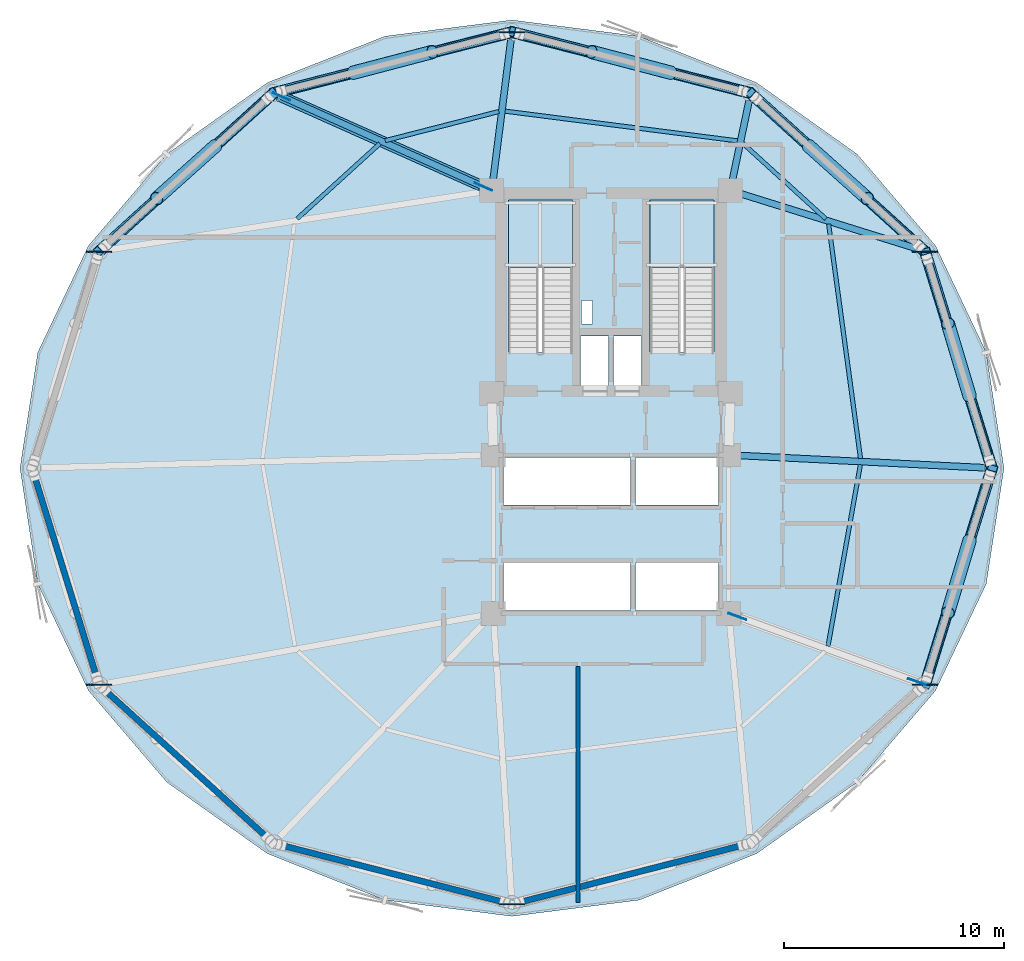
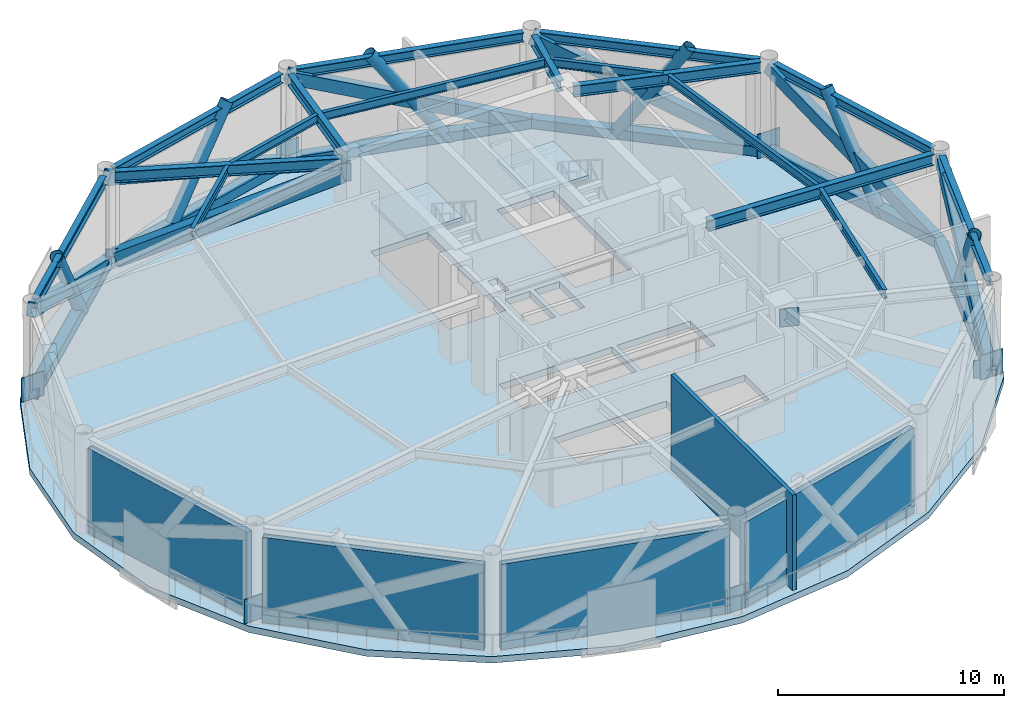
# One storey, part 2 of 8: 19 members, 17 beams, 10 plates, 5 walls, 3 slabs, 2 elements without a shape of their own.
"""IFC4 building model written with IfcOpenShell, lengths in metres."""

from ifc_helpers import new_model, si_unit, direction, frame, frame_2d, origin, origin_2d, place, context, subcontext, project, spatial, polyline, rectangle, hollow_rectangle, hollow_circle, i_section, outline, extrude, material, layer, layer_set, material_profile, profile_set, type_object, element, aggregate, save


model = new_model("IFC4")

# Units and contexts
model_context = context("Model", 3, precision=1e-05, world=origin(), true_north=direction((0.0, 1.0)))
body_context = subcontext(model_context, "Body", "Model", "MODEL_VIEW")
ifc_project = project(units=[si_unit("LENGTHUNIT", "METRE"), si_unit("AREAUNIT", "SQUARE_METRE"), si_unit("VOLUMEUNIT", "CUBIC_METRE"), si_unit("PLANEANGLEUNIT", "RADIAN"), si_unit("MASSUNIT", "GRAM", prefix="KILO")], contexts=[model_context])

# Site, building, storey
site_placement = place(None, origin())
site = spatial("IfcSite", under=ifc_project, at=site_placement, CompositionType="ELEMENT")
building_placement = place(site_placement, origin())
building = spatial("IfcBuilding", under=site, at=building_placement, Name="Varnakorn Sky Granary", CompositionType="ELEMENT")
storey_placement = place(building_placement, frame((0.0, 0.0, 78.300048828125)))
storey = spatial("IfcBuildingStorey", under=building, at=storey_placement, Name="L19", CompositionType="ELEMENT", Elevation=78.300048828125)

# Beams
ifc_material_1 = material(Name="Steel S355JR", Category="steel")
ifc_material_profile_1 = material_profile(ifc_material_1, i_section(OverallWidth=0.300048828125, OverallDepth=0.60009765625, WebThickness=0.015380859375, FlangeThickness=0.030029296875, at=origin_2d()), Name="HE 600 B")
ifc_profile_set_1 = profile_set([ifc_material_profile_1], Name="Steel S355JR")
beam_type_1 = type_object("IfcBeamType", Name="BM-RAD-Z2", PredefinedType="BEAM", material=ifc_profile_set_1)
beam_1_placement = place(storey_placement, frame((8.76953125, 0.5791015625, 4.83984375), z_axis=(0.998749672265, -0.049990920679, 0.0), x_axis=(0.049990920679, 0.998749672265, 0.0)))
element("IfcBeam", 1, at=beam_1_placement, inside=storey, type_object=beam_type_1, Name="Radial Floor Girder RG01 L19", PredefinedType="BEAM", context=body_context, shape_type="SweptSolid", body=[
    extrude(i_section(OverallWidth=0.300048828125, OverallDepth=0.60009765625, WebThickness=0.015380859375, FlangeThickness=0.030029296875, at=origin_2d()), origin(), (0.0, 0.0, 1.0), 11.193359375),
])
beam_2_placement = place(storey_placement, frame((8.821044921875, 12.4951171875, 4.83984375), z_axis=(0.954708506675, -0.297542715055, 0.0), x_axis=(0.297542715055, 0.954708506675, 0.0)))
element("IfcBeam", 2, at=beam_2_placement, inside=storey, type_object=beam_type_1, Name="Radial Floor Girder RG02 L19", PredefinedType="BEAM", context=body_context, shape_type="SweptSolid", body=[
    extrude(i_section(OverallWidth=0.300048828125, OverallDepth=0.60009765625, WebThickness=0.015380859375, FlangeThickness=0.030029296875, at=origin_2d()), origin(), (0.0, 0.0, 1.0), 8.486572265625),
])
beam_3_placement = place(storey_placement, frame((8.506103515625, 13.031005859375, 4.83984375), z_axis=(0.205278516618, 0.978703596915, 0.0), x_axis=(-0.978703596915, 0.205278516618, 0.0)))
element("IfcBeam", 3, at=beam_3_placement, inside=storey, type_object=beam_type_1, Name="Radial Floor Girder RG03 L19", PredefinedType="BEAM", context=body_context, shape_type="SweptSolid", body=[
    extrude(i_section(OverallWidth=0.300048828125, OverallDepth=0.60009765625, WebThickness=0.015380859375, FlangeThickness=0.030029296875, at=origin_2d()), origin(), (0.0, 0.0, 1.0), 3.732177734375),
])
beam_4_placement = place(storey_placement, frame((-2.366943359375, 13.03662109375, 4.83984375), z_axis=(0.126356918844, 0.991984843161, 0.0), x_axis=(-0.991984843161, 0.126356918844, 0.0)))
element("IfcBeam", 4, at=beam_4_placement, inside=storey, type_object=beam_type_1, Name="Radial Floor Girder RG04 L19", PredefinedType="BEAM", context=body_context, shape_type="SweptSolid", body=[
    extrude(i_section(OverallWidth=0.300048828125, OverallDepth=0.60009765625, WebThickness=0.015380859375, FlangeThickness=0.030029296875, at=origin_2d()), origin(), (0.0, 0.0, 1.0), 6.46875),
])
beam_5_placement = place(storey_placement, frame((-2.80322265625, 12.79150390625, 4.83984375), z_axis=(-0.912704547153, 0.408620128733, 0.0), x_axis=(-0.408620128733, -0.912704547153, 0.0)))
element("IfcBeam", 5, at=beam_5_placement, inside=storey, type_object=beam_type_1, Name="Radial Floor Girder RG05 L19", PredefinedType="BEAM", context=body_context, shape_type="SweptSolid", body=[
    extrude(i_section(OverallWidth=0.300048828125, OverallDepth=0.60009765625, WebThickness=0.015380859375, FlangeThickness=0.030029296875, at=origin_2d()), origin(), (0.0, 0.0, 1.0), 10.071044921875),
])
ifc_material_profile_2 = material_profile(ifc_material_1, i_section(OverallWidth=0.18994140625, OverallDepth=0.449951171875, WebThickness=0.009521484375, FlangeThickness=0.0146484375, at=origin_2d()), Name="IPE 450")
ifc_profile_set_2 = profile_set([ifc_material_profile_2], Name="Steel S355JR")
beam_type_2 = type_object("IfcBeamType", Name="BM-SEC-Z2", PredefinedType="BEAM", material=ifc_profile_set_2)
beam_6_placement = place(storey_placement, frame((14.34033203125, 0.43798828125, 4.9150390625), z_axis=(-0.13476266437, 0.990877905845, 0.0), x_axis=(-0.990877905845, -0.13476266437, 0.0)))
element("IfcBeam", 6, at=beam_6_placement, inside=storey, type_object=beam_type_2, Name="Secondary Floor Chord Beam MSB01 L19", PredefinedType="BEAM", context=body_context, shape_type="SweptSolid", body=[
    extrude(i_section(OverallWidth=0.18994140625, OverallDepth=0.449951171875, WebThickness=0.009521484375, FlangeThickness=0.0146484375, at=origin_2d()), origin(), (0.0, 0.0, 1.0), 10.75390625),
])
beam_7_placement = place(storey_placement, frame((12.7685546875, 11.32666015625, 4.9150390625), z_axis=(-0.739559138726, 0.673091583907, 0.0), x_axis=(-0.673091583907, -0.739559138726, 0.0)))
element("IfcBeam", 7, at=beam_7_placement, inside=storey, type_object=beam_type_2, Name="Secondary Floor Chord Beam MSB02 L19", PredefinedType="BEAM", context=body_context, shape_type="SweptSolid", body=[
    extrude(i_section(OverallWidth=0.18994140625, OverallDepth=0.449951171875, WebThickness=0.009521484375, FlangeThickness=0.0146484375, at=origin_2d()), origin(), (0.0, 0.0, 1.0), 5.10546875),
])
beam_8_placement = place(storey_placement, frame((8.750244140625, 14.875, 4.9150390625), z_axis=(-0.991914531804, 0.126907689272, 0.0), x_axis=(-0.126907689272, -0.991914531804, 0.0)))
element("IfcBeam", 8, at=beam_8_placement, inside=storey, type_object=beam_type_2, Name="Secondary Floor Chord Beam MSB03 L19", PredefinedType="BEAM", context=body_context, shape_type="SweptSolid", body=[
    extrude(i_section(OverallWidth=0.18994140625, OverallDepth=0.449951171875, WebThickness=0.009521484375, FlangeThickness=0.0146484375, at=origin_2d()), origin(), (0.0, 0.0, 1.0), 10.65576171875),
])
beam_9_placement = place(storey_placement, frame((-2.09375, 16.210205078125, 4.9150390625), z_axis=(-0.96863902886, -0.248472195163, 0.0), x_axis=(0.248472195163, -0.96863902886, 0.0)))
element("IfcBeam", 9, at=beam_9_placement, inside=storey, type_object=beam_type_2, Name="Secondary Floor Chord Beam MSB04 L19", PredefinedType="BEAM", context=body_context, shape_type="SweptSolid", body=[
    extrude(i_section(OverallWidth=0.18994140625, OverallDepth=0.449951171875, WebThickness=0.009521484375, FlangeThickness=0.0146484375, at=origin_2d()), origin(), (0.0, 0.0, 1.0), 5.33740234375),
])
beam_10_placement = place(storey_placement, frame((-7.502685546875, 14.7548828125, 4.9150390625), z_axis=(-0.73973825585, -0.672894726411, 0.0), x_axis=(0.672894726411, -0.73973825585, 0.0)))
element("IfcBeam", 10, at=beam_10_placement, inside=storey, type_object=beam_type_2, Name="Secondary Floor Chord Beam MSB05 L19", PredefinedType="BEAM", context=body_context, shape_type="SweptSolid", body=[
    extrude(i_section(OverallWidth=0.18994140625, OverallDepth=0.449951171875, WebThickness=0.009521484375, FlangeThickness=0.0146484375, at=origin_2d()), origin(), (0.0, 0.0, 1.0), 5.091552734375),
])
beam_11_placement = place(storey_placement, frame((12.861572265625, -8.09375, 4.9150390625), z_axis=(0.175671735491, 0.984448800776, 0.0), x_axis=(-0.984448800776, 0.175671735491, 0.0)))
element("IfcBeam", 11, at=beam_11_placement, inside=storey, type_object=beam_type_2, Name="Secondary Floor Chord Beam MSB12 L19", PredefinedType="BEAM", context=body_context, shape_type="SweptSolid", body=[
    extrude(i_section(OverallWidth=0.18994140625, OverallDepth=0.449951171875, WebThickness=0.009521484375, FlangeThickness=0.0146484375, at=origin_2d()), origin(), (0.0, 0.0, 1.0), 8.3857421875),
])
ifc_material_profile_3 = material_profile(ifc_material_1, i_section(OverallWidth=0.300048828125, OverallDepth=0.5, WebThickness=0.014404296875, FlangeThickness=0.028076171875, at=origin_2d()), Name="HE 500 B")
ifc_profile_set_3 = profile_set([ifc_material_profile_3], Name="Steel S355JR")
beam_type_3 = type_object("IfcBeamType", Name="BM-SPD-Z2", PredefinedType="SPANDREL", material=ifc_profile_set_3)
beam_12_placement = place(storey_placement, frame((20.224609375, 0.3740234375, 4.889892578125), z_axis=(-0.295075817934, 0.955473841437, 0.0), x_axis=(-0.955473841437, -0.295075817934, 0.0)))
element("IfcBeam", 12, at=beam_12_placement, inside=storey, type_object=beam_type_3, Name="Perimeter Spandrel Ring Beam RB01 L19", PredefinedType="SPANDREL", context=body_context, shape_type="SweptSolid", body=[
    extrude(i_section(OverallWidth=0.300048828125, OverallDepth=0.5, WebThickness=0.014404296875, FlangeThickness=0.028076171875, at=origin_2d()), origin(), (0.0, 0.0, 1.0), 9.52978515625),
])
beam_13_placement = place(storey_placement, frame((17.007080078125, 10.11669921875, 4.889892578125), z_axis=(-0.74035082887, 0.672220685632, 0.0), x_axis=(-0.672220685632, -0.74035082887, 0.0)))
element("IfcBeam", 13, at=beam_13_placement, inside=storey, type_object=beam_type_3, Name="Perimeter Spandrel Ring Beam RB02 L19", PredefinedType="SPANDREL", context=body_context, shape_type="SweptSolid", body=[
    extrude(i_section(OverallWidth=0.300048828125, OverallDepth=0.5, WebThickness=0.014404296875, FlangeThickness=0.028076171875, at=origin_2d()), origin(), (0.0, 0.0, 1.0), 9.94775390625),
])
for number, where, z_axis, x_axis, name in (
    (14, (8.97314453125, 17.163818359375, 4.889892578125), (-0.968821674194, 0.247759083815, 0.0), (-0.247759083815, -0.968821674194, 0.0), "Perimeter Spandrel Ring Beam RB03 L19"),
    (15, (-1.87939453125, 19.7451171875, 4.889892578125), (-0.968821674194, -0.247759083815, 0.0), (0.247759083815, -0.968821674194, 0.0), "Perimeter Spandrel Ring Beam RB04 L19"),
):
    element("IfcBeam", number, at=place(storey_placement, frame(where, z_axis=z_axis, x_axis=x_axis)), inside=storey, type_object=beam_type_3, Name=name, PredefinedType="SPANDREL", context=body_context, shape_type="SweptSolid", body=[
        extrude(i_section(OverallWidth=0.300048828125, OverallDepth=0.5, WebThickness=0.014404296875, FlangeThickness=0.028076171875, at=origin_2d()), origin(), (0.0, 0.0, 1.0), 10.418701171875),
    ])
beam_14_placement = place(storey_placement, frame((-12.642333984375, 16.8037109375, 4.889892578125), z_axis=(-0.74035082887, -0.672220685632, 0.0), x_axis=(0.672220685632, -0.74035082887, 0.0)))
element("IfcBeam", 16, at=beam_14_placement, inside=storey, type_object=beam_type_3, Name="Perimeter Spandrel Ring Beam RB05 L19", PredefinedType="SPANDREL", context=body_context, shape_type="SweptSolid", body=[
    extrude(i_section(OverallWidth=0.300048828125, OverallDepth=0.5, WebThickness=0.014404296875, FlangeThickness=0.028076171875, at=origin_2d()), origin(), (0.0, 0.0, 1.0), 9.94775390625),
])
beam_15_placement = place(storey_placement, frame((17.41259765625, -9.4794921875, 4.889892578125), z_axis=(0.295075817934, 0.955473841437, 0.0), x_axis=(-0.955473841437, 0.295075817934, 0.0)))
element("IfcBeam", 17, at=beam_15_placement, inside=storey, type_object=beam_type_3, Name="Perimeter Spandrel Ring Beam RB12 L19", PredefinedType="SPANDREL", context=body_context, shape_type="SweptSolid", body=[
    extrude(i_section(OverallWidth=0.300048828125, OverallDepth=0.5, WebThickness=0.014404296875, FlangeThickness=0.028076171875, at=origin_2d()), origin(), (0.0, 0.0, 1.0), 9.52978515625),
])

# Members
ifc_material_2 = material(Name="Steel S460M", Category="steel")
ifc_material_profile_4 = material_profile(ifc_material_2, hollow_rectangle(XDim=0.449951171875, YDim=0.64990234375, WallThickness=0.02490234375, at=origin_2d()), Name="RHS 450x650x25")
ifc_profile_set_4 = profile_set([ifc_material_profile_4], Name="Steel S460M")
member_type_1 = type_object("IfcMemberType", Name="MB-BELT-650", PredefinedType="BRACE", material=ifc_profile_set_4)
member_1_placement = place(storey_placement, frame((20.31103515625, 0.0, 0.14990234375), z_axis=(-0.266701179464, 0.871936784379, 0.41060531526), x_axis=(-0.956266923508, -0.292495420483, 0.0)))
element("IfcMember", 18, at=member_1_placement, inside=storey, type_object=member_type_1, Name="Perimeter Belt-Truss Diagonal BT01 L19", PredefinedType="BRACE", context=body_context, shape_type="SweptSolid", body=[
    extrude(hollow_rectangle(XDim=0.449951171875, YDim=0.64990234375, WallThickness=0.02490234375, at=origin_2d()), origin(), (0.0, 0.0, 1.0), 11.30078125),
])
member_2_placement = place(storey_placement, frame((17.27197265625, 9.842041015625, 0.14990234375), z_axis=(-0.677973057187, 0.618510903303, 0.397236448761), x_axis=(-0.673967439166, -0.738761051318, 0.0)))
element("IfcMember", 19, at=member_2_placement, inside=storey, type_object=member_type_1, Name="Perimeter Belt-Truss Diagonal BT02 L19", PredefinedType="BRACE", context=body_context, shape_type="SweptSolid", body=[
    extrude(hollow_rectangle(XDim=0.449951171875, YDim=0.64990234375, WallThickness=0.02490234375, at=origin_2d()), origin(), (0.0, 0.0, 1.0), 11.68115234375),
])
member_3_placement = place(storey_placement, frame((9.337890625, 17.046875, 0.14990234375), z_axis=(-0.894491607983, 0.23069549513, 0.382967820808), x_axis=(-0.249734860416, -0.968314256579, 0.0)))
element("IfcMember", 20, at=member_3_placement, inside=storey, type_object=member_type_1, Name="Perimeter Belt-Truss Diagonal BT03 L19", PredefinedType="BRACE", context=body_context, shape_type="SweptSolid", body=[
    extrude(hollow_rectangle(XDim=0.449951171875, YDim=0.64990234375, WallThickness=0.02490234375, at=origin_2d()), origin(), (0.0, 0.0, 1.0), 12.1162109375),
])
member_4_placement = place(storey_placement, frame((-1.5, 19.819091796875, 0.14990234375), z_axis=(-0.895458571561, -0.22708774582, 0.382864339312), x_axis=(0.245817948206, -0.969316014693, 0.0)))
element("IfcMember", 21, at=member_4_placement, inside=storey, type_object=member_type_1, Name="Perimeter Belt-Truss Diagonal BT04 L19", PredefinedType="BRACE", context=body_context, shape_type="SweptSolid", body=[
    extrude(hollow_rectangle(XDim=0.449951171875, YDim=0.64990234375, WallThickness=0.02490234375, at=origin_2d()), origin(), (0.0, 0.0, 1.0), 12.11962890625),
])
member_5_placement = place(storey_placement, frame((-12.337890625, 17.046875, 0.14990234375), z_axis=(-0.68093633964, -0.615413892554, 0.396977886298), x_axis=(0.670511005975, -0.741899582738, 0.0)))
element("IfcMember", 22, at=member_5_placement, inside=storey, type_object=member_type_1, Name="Perimeter Belt-Truss Diagonal BT05 L19", PredefinedType="BRACE", context=body_context, shape_type="SweptSolid", body=[
    extrude(hollow_rectangle(XDim=0.449951171875, YDim=0.64990234375, WallThickness=0.02490234375, at=origin_2d()), origin(), (0.0, 0.0, 1.0), 11.688720703125),
])
member_6_placement = place(storey_placement, frame((17.27197265625, -9.842041015625, 0.14990234375), z_axis=(0.271387161461, 0.870568205615, 0.410438799294), x_axis=(-0.954687489684, 0.297610142705, 0.0)))
element("IfcMember", 23, at=member_6_placement, inside=storey, type_object=member_type_1, Name="Perimeter Belt-Truss Diagonal BT12 L19", PredefinedType="BRACE", context=body_context, shape_type="SweptSolid", body=[
    extrude(hollow_rectangle(XDim=0.449951171875, YDim=0.64990234375, WallThickness=0.02490234375, at=origin_2d()), origin(), (0.0, 0.0, 1.0), 11.305419921875),
])
ifc_material_profile_5 = material_profile(ifc_material_2, hollow_rectangle(XDim=0.5, YDim=0.5, WallThickness=0.02490234375, at=origin_2d()), Name="SHS 500x500x25")
ifc_profile_set_5 = profile_set([ifc_material_profile_5], Name="Steel S460M")
member_type_2 = type_object("IfcMemberType", Name="MB-CHD-500", PredefinedType="CHORD", material=ifc_profile_set_5)
member_7_placement = place(storey_placement, frame((20.31103515625, 0.0, 0.25), z_axis=(-0.295038381743, 0.955485401928, 0.0), x_axis=(-0.955485401928, -0.295038381743, 0.0)))
element("IfcMember", 24, at=member_7_placement, inside=storey, type_object=member_type_2, Name="Belt-Truss Bottom Chord BCH01 L19", PredefinedType="CHORD", context=body_context, shape_type="SweptSolid", body=[
    extrude(hollow_rectangle(XDim=0.5, YDim=0.5, WallThickness=0.02490234375, at=origin_2d()), origin(), (0.0, 0.0, 1.0), 10.300537109375),
])
member_8_placement = place(storey_placement, frame((17.27197265625, 9.842041015625, 0.25), z_axis=(-0.74031001037, 0.672265638379, 0.0), x_axis=(-0.672265638379, -0.74031001037, 0.0)))
element("IfcMember", 25, at=member_8_placement, inside=storey, type_object=member_type_2, Name="Belt-Truss Bottom Chord BCH02 L19", PredefinedType="CHORD", context=body_context, shape_type="SweptSolid", body=[
    extrude(hollow_rectangle(XDim=0.5, YDim=0.5, WallThickness=0.02490234375, at=origin_2d()), origin(), (0.0, 0.0, 1.0), 10.71728515625),
])
for number, where, z_axis, x_axis, name in (
    (26, (9.337890625, 17.046875, 0.25), (-0.968808431619, 0.247810860989, 0.0), (-0.247810860989, -0.968808431619, 0.0), "Belt-Truss Bottom Chord BCH03 L19"),
    (27, (-1.5, 19.819091796875, 0.25), (-0.968808431619, -0.247810860989, 0.0), (0.247810860989, -0.968808431619, 0.0), "Belt-Truss Bottom Chord BCH04 L19"),
):
    element("IfcMember", number, at=place(storey_placement, frame(where, z_axis=z_axis, x_axis=x_axis)), inside=storey, type_object=member_type_2, Name=name, PredefinedType="CHORD", context=body_context, shape_type="SweptSolid", body=[
        extrude(hollow_rectangle(XDim=0.5, YDim=0.5, WallThickness=0.02490234375, at=origin_2d()), origin(), (0.0, 0.0, 1.0), 11.186767578125),
    ])
member_9_placement = place(storey_placement, frame((-12.337890625, 17.046875, 0.25), z_axis=(-0.74031001037, -0.672265638379, 0.0), x_axis=(0.672265638379, -0.74031001037, 0.0)))
element("IfcMember", 28, at=member_9_placement, inside=storey, type_object=member_type_2, Name="Belt-Truss Bottom Chord BCH05 L19", PredefinedType="CHORD", context=body_context, shape_type="SweptSolid", body=[
    extrude(hollow_rectangle(XDim=0.5, YDim=0.5, WallThickness=0.02490234375, at=origin_2d()), origin(), (0.0, 0.0, 1.0), 10.71728515625),
])
member_10_placement = place(storey_placement, frame((17.27197265625, -9.842041015625, 0.25), z_axis=(0.295038381743, 0.955485401928, 0.0), x_axis=(-0.955485401928, 0.295038381743, 0.0)))
element("IfcMember", 29, at=member_10_placement, inside=storey, type_object=member_type_2, Name="Belt-Truss Bottom Chord BCH12 L19", PredefinedType="CHORD", context=body_context, shape_type="SweptSolid", body=[
    extrude(hollow_rectangle(XDim=0.5, YDim=0.5, WallThickness=0.02490234375, at=origin_2d()), origin(), (0.0, 0.0, 1.0), 10.300537109375),
])
ifc_material_profile_6 = material_profile(ifc_material_2, hollow_circle(Radius=0.304931640625, WallThickness=0.022216796875, at=origin_2d()), Name="CHS 610x22")
ifc_profile_set_6 = profile_set([ifc_material_profile_6], Name="Steel S460M")
member_type_3 = type_object("IfcMemberType", Name="MB-DIAG-T1", PredefinedType="BRACE", material=ifc_profile_set_6)
member_11_placement = place(storey_placement, frame((19.298095703125, 3.28076171875, -0.130126953125), z_axis=(-0.153805428249, 0.512519869639, 0.844788300976), x_axis=(-0.957800837901, -0.287432696325, 0.0)))
element("IfcMember", 30, at=member_11_placement, inside=storey, type_object=member_type_3, Name="Perimeter CHS Diagrid Brace DG01 L19", PredefinedType="BRACE", context=body_context, shape_type="SweptSolid", body=[
    extrude(hollow_circle(Radius=0.304931640625, WallThickness=0.022216796875, at=origin_2d()), origin(), (0.0, 0.0, 1.0), 6.416015625),
])
member_12_placement = place(storey_placement, frame((11.982666015625, 14.645263671875, -0.130126953125), z_axis=(0.410499666753, -0.367574053766, 0.834493462283), x_axis=(0.667081945865, 0.744984347151, 0.0)))
element("IfcMember", 31, at=member_12_placement, inside=storey, type_object=member_type_3, Name="Perimeter CHS Diagrid Brace DG02 L19", PredefinedType="BRACE", context=body_context, shape_type="SweptSolid", body=[
    extrude(hollow_circle(Radius=0.304931640625, WallThickness=0.022216796875, at=origin_2d()), origin(), (0.0, 0.0, 1.0), 6.4951171875),
])
for number, where, z_axis, x_axis, name in (
    (32, (5.725341796875, 17.970947265625, -0.130126953125), (-0.548353773269, 0.14378609226, 0.823792266906), (-0.253639398077, -0.967298845106, 0.0), "Perimeter CHS Diagrid Brace DG03 L19"),
    (33, (-8.725341796875, 17.970947265625, -0.130126953125), (0.548353773269, 0.14378609226, 0.823792266906), (-0.253639398077, 0.967298845106, 0.0), "Perimeter CHS Diagrid Brace DG04 L19"),
):
    element("IfcMember", number, at=place(storey_placement, frame(where, z_axis=z_axis, x_axis=x_axis)), inside=storey, type_object=member_type_3, Name=name, PredefinedType="BRACE", context=body_context, shape_type="SweptSolid", body=[
        extrude(hollow_circle(Radius=0.304931640625, WallThickness=0.022216796875, at=origin_2d()), origin(), (0.0, 0.0, 1.0), 6.57958984375),
    ])
member_13_placement = place(storey_placement, frame((-14.982666015625, 14.645263671875, -0.130126953125), z_axis=(-0.410499666753, -0.367574053766, 0.834493462283), x_axis=(0.667081945865, -0.744984347151, 0.0)))
element("IfcMember", 34, at=member_13_placement, inside=storey, type_object=member_type_3, Name="Perimeter CHS Diagrid Brace DG05 L19", PredefinedType="BRACE", context=body_context, shape_type="SweptSolid", body=[
    extrude(hollow_circle(Radius=0.304931640625, WallThickness=0.022216796875, at=origin_2d()), origin(), (0.0, 0.0, 1.0), 6.4951171875),
])
member_14_placement = place(storey_placement, frame((19.298095703125, -3.28076171875, -0.130126953125), z_axis=(-0.153805428249, -0.512519869639, 0.844788300976), x_axis=(0.957800837901, -0.287432696325, 0.0)))
element("IfcMember", 35, at=member_14_placement, inside=storey, type_object=member_type_3, Name="Perimeter CHS Diagrid Brace DG12 L19", PredefinedType="BRACE", context=body_context, shape_type="SweptSolid", body=[
    extrude(hollow_circle(Radius=0.304931640625, WallThickness=0.022216796875, at=origin_2d()), origin(), (0.0, 0.0, 1.0), 6.416015625),
])
ifc_material_profile_7 = material_profile(ifc_material_2, hollow_rectangle(XDim=0.5, YDim=0.800048828125, WallThickness=0.030029296875, at=origin_2d()), Name="RHS 500x800x30")
ifc_profile_set_7 = profile_set([ifc_material_profile_7], Name="Steel S460M")
member_type_4 = type_object("IfcMemberType", Name="MB-OUT-800", PredefinedType="BRACE", material=ifc_profile_set_7)
member_15_placement = place(storey_placement, frame((-2.803466796875, 12.791259765625, 4.2900390625), z_axis=(-0.853018185307, 0.380725374309, -0.356942803392), x_axis=(-0.407573791832, -0.91317227521, 0.0)))
element("IfcMember", 36, at=member_15_placement, inside=storey, type_object=member_type_4, Name="Radial Outrigger Truss Diagonal OUT05 L19", PredefinedType="BRACE", context=body_context, shape_type="SweptSolid", body=[
    extrude(hollow_rectangle(XDim=0.5, YDim=0.800048828125, WallThickness=0.030029296875, at=origin_2d()), origin(), (0.0, 0.0, 1.0), 10.75830078125),
])

# Plates
ifc_layer_1 = layer(ifc_material_2, 0.050048828125, Name="Steel S460M")
ifc_layer_set_1 = layer_set([ifc_layer_1], Name="Steel S460M")
plate_type_1 = type_object("IfcPlateType", Name="PL-NODE-KN5", PredefinedType="SHEET", material=ifc_layer_set_1)
for number, where, z_axis, x_axis, name in (
    (37, (17.27197265625, 9.842041015625, 0.0), (0.0, 0.0, 1.0), (1.0, 0.0, 0.0), "Belt-Outrigger Node Assembly KN5 L19-2"),
    (38, (-1.5, 19.819091796875, 0.0), (0.0, 0.0, 1.0), (1.0, 0.0, 0.0), "Belt-Outrigger Node Assembly KN5 L19-4"),
    (39, (-20.27197265625, 9.842041015625, 0.0), (0.0, 0.0, 1.0), (1.0, 0.0, 0.0), "Belt-Outrigger Node Assembly KN5 L19-6"),
    (40, (-20.27197265625, -9.842041015625, 0.0), (0.0, 0.0, 1.0), (1.0, 0.0, 0.0), "Belt-Outrigger Node Assembly KN5 L19-8"),
    (41, (-1.5, -19.819091796875, 0.0), (0.0, 0.0, 1.0), (1.0, 0.0, 0.0), "Belt-Outrigger Node Assembly KN5 L19-10"),
    (42, (17.27197265625, -9.842041015625, 0.0), (0.0, 0.0, 1.0), (1.0, 0.0, 0.0), "Belt-Outrigger Node Assembly KN5 L19-12"),
):
    element("IfcPlate", number, at=place(storey_placement, frame(where, z_axis=z_axis, x_axis=x_axis)), inside=storey, type_object=plate_type_1, Name=name, PredefinedType="SHEET", context=body_context, shape_type="SweptSolid", body=[
        extrude(rectangle(XDim=1.14990234375, YDim=0.050048828125, at=origin_2d()), origin(), (0.0, 0.0, 1.0), 1.300048828125),
    ])
ifc_layer_2 = layer(ifc_material_2, 0.0419921875, Name="Steel S460M")
ifc_layer_set_2 = layer_set([ifc_layer_2], Name="Steel S460M")
plate_type_2 = type_object("IfcPlateType", Name="PL-NODE-KN9", PredefinedType="SHEET", material=ifc_layer_set_2)
for number, where, z_axis, x_axis, name in (
    (43, (-2.803466796875, 12.791259765625, 3.81494140625), (0.0, 0.0, 1.0), (-0.91317028991, 0.407578239882, 0.0), "Outrigger Core Embed Gusset KN9 L19-5A"),
    (44, (-11.98046875, 16.88720703125, -0.02490234375), (0.0, 0.0, 1.0), (-0.91317028991, 0.407578239882, 0.0), "Outrigger Perimeter Node Gusset KN9 L19-5B"),
    (45, (8.74462890625, -6.743408203125, 3.81494140625), (0.0, 0.0, 1.0), (0.939871761781, -0.341527555853, 0.0), "Outrigger Core Embed Gusset KN9 L19-12A"),
    (46, (16.904052734375, -9.708251953125, -0.02490234375), (0.0, 0.0, 1.0), (0.939871761781, -0.341527555853, 0.0), "Outrigger Perimeter Node Gusset KN9 L19-12B"),
):
    element("IfcPlate", number, at=place(storey_placement, frame(where, z_axis=z_axis, x_axis=x_axis)), inside=storey, type_object=plate_type_2, Name=name, PredefinedType="SHEET", context=body_context, shape_type="SweptSolid", body=[
        extrude(rectangle(XDim=0.85009765625, YDim=0.0419921875, at=origin_2d()), origin(), (0.0, 0.0, 1.0), 0.949951171875),
    ])

# Stair, slab
ifc_material_3 = material(Name="Concrete C40/50", Category="concrete")
stair_type = type_object("IfcStairType", Name="ST-MAIN-ASSEMBLY", PredefinedType="HALF_TURN_STAIR", material=ifc_material_3)
stair_1_placement = place(storey_placement, origin())
stair_1 = element("IfcStair", 47, at=stair_1_placement, inside=storey, type_object=stair_type, Name="L19 Protected Exit Stair ST-1", PredefinedType="HALF_TURN_STAIR")
ifc_layer_3 = layer(ifc_material_3, 0.199951171875, Name="Concrete C40/50")
ifc_layer_set_3 = layer_set([ifc_layer_3], Name="Concrete C40/50")
slab_type_1 = type_object("IfcSlabType", Name="ST-MAIN-LAND", PredefinedType="LANDING", material=ifc_layer_set_3)
slab_1_placement = place(storey_placement, frame((0.0, 0.0, 2.5)))
slab_1 = element("IfcSlab", 48, at=slab_1_placement, type_object=slab_type_1, Name="ST-1 landing 1", PredefinedType="LANDING", context=body_context, shape_type="SweptSolid", body=[
    extrude(outline(polyline([(1.239990234375, 9.1201171875), (1.239990234375, 12.179931640625), (-1.669921875, 12.179931640625), (-1.669921875, 9.1201171875), (1.239990234375, 9.1201171875)])), origin(), (0.0, 0.0, 1.0), 0.199951171875),
])
aggregate(stair_1, [slab_1])

stair_2_placement = place(storey_placement, origin())
stair_2 = element("IfcStair", 49, at=stair_2_placement, inside=storey, type_object=stair_type, Name="L19 Protected Exit Stair ST-2", PredefinedType="HALF_TURN_STAIR")
slab_2_placement = place(storey_placement, frame((0.0, 0.0, 2.5)))
slab_2 = element("IfcSlab", 50, at=slab_2_placement, type_object=slab_type_1, Name="ST-2 landing 1", PredefinedType="LANDING", context=body_context, shape_type="SweptSolid", body=[
    extrude(outline(polyline([(7.679931640625, 9.1201171875), (7.679931640625, 12.179931640625), (4.77001953125, 12.179931640625), (4.77001953125, 9.1201171875), (7.679931640625, 9.1201171875)])), origin(), (0.0, 0.0, 1.0), 0.199951171875),
])
aggregate(stair_2, [slab_2])

# Slab
ifc_material_4 = material(Name="Concrete C50/60", Category="concrete")
ifc_layer_4 = layer(ifc_material_4, 0.35009765625, Name="Concrete C50/60")
ifc_layer_set_4 = layer_set([ifc_layer_4], Name="Concrete C50/60")
slab_type_2 = type_object("IfcSlabType", Name="ST-SL-PLANT-350", PredefinedType="FLOOR", material=ifc_layer_set_4)
slab_3_placement = place(storey_placement, frame((0.0, 0.0, -0.35009765625)))
element("IfcSlab", 51, at=slab_3_placement, inside=storey, type_object=slab_type_2, Name="Level L19 Structural Floor Slab", PredefinedType="FLOOR", context=body_context, shape_type="SweptSolid", body=[
    extrude(outline(polyline([(20.861083984375, 0.0), (20.0556640625, 5.26025390625), (17.748291015625, 10.116943359375), (14.184326171875, 14.27587890625), (9.613037109375, 17.523193359375), (4.27587890625, 19.631591796875), (-1.5, 20.368896484375), (-7.27587890625, 19.631591796875), (-12.613037109375, 17.523193359375), (-17.184326171875, 14.27587890625), (-20.748291015625, 10.116943359375), (-23.0556640625, 5.26025390625), (-23.861083984375, 0.0), (-23.0556640625, -5.26025390625), (-20.748291015625, -10.116943359375), (-17.184326171875, -14.27587890625), (-12.613037109375, -17.523193359375), (-7.27587890625, -19.631591796875), (-1.5, -20.368896484375), (4.27587890625, -19.631591796875), (9.613037109375, -17.523193359375), (14.184326171875, -14.27587890625), (17.748291015625, -10.116943359375), (20.0556640625, -5.26025390625), (20.861083984375, 0.0)]), holes=[polyline([(1.239990234375, 5.27490234375), (1.239990234375, 12.179931640625), (-1.669921875, 12.179931640625), (-1.669921875, 5.27490234375), (1.239990234375, 5.27490234375)]), polyline([(7.679931640625, 5.27490234375), (7.679931640625, 12.179931640625), (4.77001953125, 12.179931640625), (4.77001953125, 5.27490234375), (7.679931640625, 5.27490234375)]), polyline([(1.659912109375, 6.550048828125), (2.14990234375, 6.550048828125), (2.14990234375, 7.6201171875), (1.659912109375, 7.6201171875), (1.659912109375, 6.550048828125)]), polyline([(1.6201171875, 3.739990234375), (2.8798828125, 3.739990234375), (2.8798828125, 6.010009765625), (1.6201171875, 6.010009765625), (1.6201171875, 3.739990234375)]), polyline([(3.1201171875, 3.739990234375), (4.3798828125, 3.739990234375), (4.3798828125, 6.010009765625), (3.1201171875, 6.010009765625), (3.1201171875, 3.739990234375)]), polyline([(-1.8798828125, -1.679931640625), (3.8798828125, -1.679931640625), (3.8798828125, 0.47998046875), (-1.8798828125, 0.47998046875), (-1.8798828125, -1.679931640625)]), polyline([(4.1201171875, -1.679931640625), (7.8798828125, -1.679931640625), (7.8798828125, 0.47998046875), (4.1201171875, 0.47998046875), (4.1201171875, -1.679931640625)]), polyline([(-1.8798828125, -6.47998046875), (3.8798828125, -6.47998046875), (3.8798828125, -4.320068359375), (-1.8798828125, -4.320068359375), (-1.8798828125, -6.47998046875)]), polyline([(4.1201171875, -6.47998046875), (7.8798828125, -6.47998046875), (7.8798828125, -4.320068359375), (4.1201171875, -4.320068359375), (4.1201171875, -6.47998046875)])]), origin(), (0.0, 0.0, 1.0), 0.35009765625),
])

# Walls
ifc_material_5 = material(Name="Precast concrete C40/50", Category="concrete")
ifc_layer_5 = layer(ifc_material_5, 0.280029296875, Name="Precast concrete C40/50")
ifc_layer_set_5 = layer_set([ifc_layer_5], Name="Precast concrete C40/50")
wall_type_1 = type_object("IfcWallType", Name="WT-EW-CRN-280", PredefinedType="SOLIDWALL", material=ifc_layer_set_5)
wall_1_placement = place(storey_placement, frame((-20.378662109375, -9.49658203125, 0.0), z_axis=(0.0, 0.0, 1.0), x_axis=(-0.295035078494, 0.955486421912, 0.0)))
element("IfcWall", 52, at=wall_1_placement, inside=storey, type_object=wall_type_1, Name="Agritech Insulated Precast Facade Wall L19-P07", PredefinedType="SOLIDWALL", context=body_context, shape_type="SweptSolid", body=[
    extrude(rectangle(XDim=9.577392578125, YDim=0.280029296875, at=frame_2d((4.78857421875, 0.0))), origin(), (0.0, 0.0, 1.0), 4.60986328125),
])
wall_2_placement = place(storey_placement, frame((-12.605712890625, -16.8037109375, 0.0), z_axis=(0.0, 0.0, 1.0), x_axis=(-0.740304733589, 0.672271449212, 0.0)))
element("IfcWall", 53, at=wall_2_placement, inside=storey, type_object=wall_type_1, Name="Agritech Insulated Precast Facade Wall L19-P08", PredefinedType="SOLIDWALL", context=body_context, shape_type="SweptSolid", body=[
    extrude(rectangle(XDim=9.994140625, YDim=0.280029296875, at=frame_2d((4.9970703125, 0.0))), origin(), (0.0, 0.0, 1.0), 4.60986328125),
])
for number, where, z_axis, x_axis, name in (
    (54, (-1.85009765625, -19.7294921875, 0.0), (0.0, 0.0, 1.0), (-0.968810650848, 0.247802184825, 0.0), "Agritech Insulated Precast Facade Wall L19-P09"),
    (55, (8.98779296875, -17.136474609375, 0.0), (0.0, 0.0, 1.0), (-0.968810650848, -0.247802184825, 0.0), "Agritech Insulated Precast Facade Wall L19-P10"),
):
    element("IfcWall", number, at=place(storey_placement, frame(where, z_axis=z_axis, x_axis=x_axis)), inside=storey, type_object=wall_type_1, Name=name, PredefinedType="SOLIDWALL", context=body_context, shape_type="SweptSolid", body=[
        extrude(rectangle(XDim=10.464111328125, YDim=0.280029296875, at=frame_2d((5.23193359375, 0.0))), origin(), (0.0, 0.0, 1.0), 4.60986328125),
    ])
ifc_material_6 = material(Name="Autoclaved Aerated Concrete Blockwork", Category="masonry")
ifc_layer_6 = layer(ifc_material_6, 0.199951171875, Name="Autoclaved Aerated Concrete Blockwork")
ifc_layer_set_6 = layer_set([ifc_layer_6], Name="Autoclaved Aerated Concrete Blockwork")
wall_type_2 = type_object("IfcWallType", Name="WT-FIRE-200", PredefinedType="MOVABLE", material=ifc_layer_set_6)
wall_3_placement = place(storey_placement, frame((1.5, -9.010009765625, 0.0), z_axis=(0.0, 0.0, 1.0), x_axis=(0.0, -1.0, 0.0)))
element("IfcWall", 56, at=wall_3_placement, inside=storey, type_object=wall_type_2, Name="Interior Partition Wall L19-048", PredefinedType="MOVABLE", context=body_context, shape_type="SweptSolid", body=[
    extrude(rectangle(XDim=10.736083984375, YDim=0.199951171875, at=frame_2d((5.3681640625, 0.0))), origin(), (0.0, 0.0, 1.0), 5.139892578125),
])

save(model, "model.ifc")
